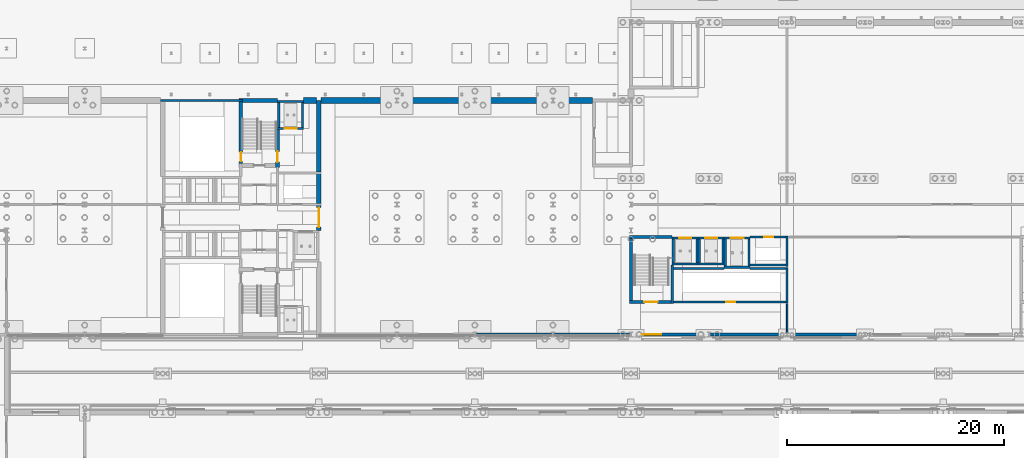
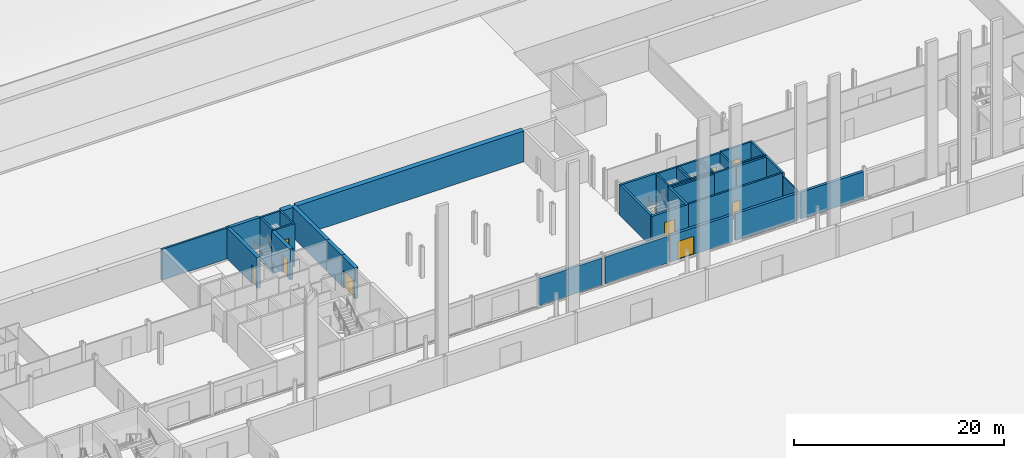
# One storey, part 90 of 148: 42 walls, 11 doors, 11 openings.
"""IFC4 building model written with IfcOpenShell, lengths in metres."""

import ifcopenshell
import ifcopenshell.guid

model = None  # the IFC model being written
_history = None  # IfcOwnerHistory: only IFC2X3 demands one
_inside = {}  # id of a spatial element -> (the spatial element, [elements in it])
_under = {}  # id of a project, library or spatial element -> (it, [spatial elements below it])
_declared = {}  # id of a project -> (the project, [libraries it declares])
_typed = {}  # id of a type object -> (the type object, [elements of that type])
_made_of = {}  # id of a material, layer set ... -> (it, [elements and type objects made of it])


def new_model(schema):
    """Start an empty IFC model of exactly this schema.

    Asked for "IFC4X3", IfcOpenShell would pick the latest addendum, in which some entities
    have other attributes; the version numbers below select the first issue.
    IFC2X3 requires an IfcOwnerHistory on every rooted entity: one is made here for all.
    """
    global model, _history
    if schema == "IFC4X3":
        model = ifcopenshell.file(schema_version=(4, 3, 0, 0))
    else:
        model = ifcopenshell.file(schema=schema)
    _inside.clear()
    _under.clear()
    _declared.clear()
    _typed.clear()
    _made_of.clear()
    _history = None
    if model.schema == "IFC2X3":
        org = make("IfcOrganization", Name="unknown")
        user = make(
            "IfcPersonAndOrganization",
            ThePerson=make("IfcPerson", FamilyName="unknown"),
            TheOrganization=org,
        )
        app = make(
            "IfcApplication",
            ApplicationDeveloper=org,
            Version="unknown",
            ApplicationFullName="unknown",
            ApplicationIdentifier="unknown",
        )
        _history = make(
            "IfcOwnerHistory",
            OwningUser=user,
            OwningApplication=app,
            ChangeAction="ADDED",
            CreationDate=0,
        )
    return model


def make(cls, **values):
    """One entity of the class cls with the attributes given. An attribute that is None is left unset."""
    return model.create_entity(
        cls, **{name: value for name, value in values.items() if value is not None}
    )


def rooted(cls, **values):
    """An entity with a GlobalId (a new one), such as an element, a storey or a relation."""
    return make(cls, GlobalId=ifcopenshell.guid.new(), OwnerHistory=_history, **values)


def si_unit(unit_type, name, prefix=None):
    """IfcSIUnit, for example si_unit("LENGTHUNIT", "METRE", prefix="MILLI")."""
    return make("IfcSIUnit", UnitType=unit_type, Prefix=prefix, Name=name)


def assignment(units):
    """IfcUnitAssignment: the units of a project."""
    return None if units is None else make("IfcUnitAssignment", Units=units)


def point(xyz):
    """IfcCartesianPoint."""
    return None if xyz is None else make("IfcCartesianPoint", Coordinates=xyz)


def direction(xyz):
    """IfcDirection."""
    return None if xyz is None else make("IfcDirection", DirectionRatios=xyz)


def frame(location, z_axis=None, x_axis=None):
    """IfcAxis2Placement3D, a coordinate frame: its origin and axes. An axis left out is left unset."""
    return make(
        "IfcAxis2Placement3D",
        Location=point(location),
        Axis=direction(z_axis),
        RefDirection=direction(x_axis),
    )


def frame_2d(location, x_axis=None):
    """IfcAxis2Placement2D, a coordinate frame in the plane: its origin and x axis."""
    return make(
        "IfcAxis2Placement2D", Location=point(location), RefDirection=direction(x_axis)
    )


def origin():
    """The frame at (0, 0, 0) with its axes left unset."""
    return frame((0.0, 0.0, 0.0))


def place(relative_to, where):
    """IfcLocalPlacement: puts the frame where relative to a parent placement (None: the world)."""
    return make(
        "IfcLocalPlacement", PlacementRelTo=relative_to, RelativePlacement=where
    )


def context(
    kind, dimensions, precision=None, world=None, true_north=None, identifier=None
):
    """IfcGeometricRepresentationContext, for example the 3D "Model" context."""
    return make(
        "IfcGeometricRepresentationContext",
        ContextIdentifier=identifier,
        ContextType=kind,
        CoordinateSpaceDimension=dimensions,
        Precision=precision,
        WorldCoordinateSystem=world,
        TrueNorth=true_north,
    )


def subcontext(parent, identifier, kind, view, scale=None):
    """IfcGeometricRepresentationSubContext, for example "Body" below "Model"."""
    return make(
        "IfcGeometricRepresentationSubContext",
        ContextIdentifier=identifier,
        ContextType=kind,
        ParentContext=parent,
        TargetScale=scale,
        TargetView=view,
    )


def project(units=None, contexts=None):
    """IfcProject with its units and contexts."""
    return rooted(
        "IfcProject",
        Name="project",
        RepresentationContexts=contexts,
        UnitsInContext=assignment(units),
    )


def spatial(cls, under=None, at=None, **own):
    """A site, building, storey or space (cls), placed at a placement, below another one or the project."""
    s = rooted(cls, ObjectPlacement=at, **own)
    if under is not None:
        _under.setdefault(under.id(), (under, []))[1].append(s)
    return s


def profile(cls, at=None, kind="AREA", **sizes):
    """A parametric profile (cls). Its sizes go by their IFC names, for example OverallWidth=200.0."""
    return make(cls, ProfileType=kind, Position=at, **sizes)


def rectangle(**sizes):
    """IfcRectangleProfileDef."""
    return profile("IfcRectangleProfileDef", **sizes)


def extrude(swept, where, along, depth):
    """IfcExtrudedAreaSolid: the profile swept, set in the frame where, extruded along a direction by depth."""
    return make(
        "IfcExtrudedAreaSolid",
        SweptArea=swept,
        Position=where,
        ExtrudedDirection=direction(along),
        Depth=depth,
    )


def shape(context_of_items, identifier, shape_type, items):
    """IfcShapeRepresentation: the items that make up one representation, for example the "Body"."""
    return make(
        "IfcShapeRepresentation",
        ContextOfItems=context_of_items,
        RepresentationIdentifier=identifier,
        RepresentationType=shape_type,
        Items=items,
    )


def material(Name=None, Category=None):
    """IfcMaterial."""
    return make("IfcMaterial", Name=Name, Category=Category)


def layer(
    of_material, thickness, ventilated=None, Name=None, Category=None, Priority=None
):
    """IfcMaterialLayer: one layer of a wall or slab, of a material (None: an air gap)."""
    return make(
        "IfcMaterialLayer",
        Material=of_material,
        LayerThickness=thickness,
        IsVentilated=ventilated,
        Name=Name,
        Category=Category,
        Priority=Priority,
    )


def layer_set(layers, Name=None):
    """IfcMaterialLayerSet."""
    return make("IfcMaterialLayerSet", MaterialLayers=layers, LayerSetName=Name)


def made_of(thing, what):
    """Note that an element or type object is made of a material, layer set ...; save() writes the relation."""
    if what is not None:
        _made_of.setdefault(what.id(), (what, []))[1].append(thing)
    return thing


def type_object(cls, material=None, **own):
    """A type object (cls), such as IfcWallType, which elements share."""
    return made_of(rooted(cls, **own), material)


def element(
    cls,
    number,
    at=None,
    inside=None,
    cuts=None,
    type_object=None,
    material=None,
    context=None,
    identifier="Body",
    shape_type=None,
    held_by="IfcProductDefinitionShape",
    body=None,
    shapes=None,
    **own,
):
    """One element of the class cls, such as IfcWall. Its Tag is "e" and its number.

    at: its placement. inside: the storey or other place that contains it. cuts: it is an
    opening in that element (IfcRelVoidsElement). A single representation is given by context,
    identifier, shape_type and body (its items); several are given by shapes. held_by: the class
    of the entity that holds the representations. save() writes the other relations.
    """
    e = rooted(cls, Tag="e%d" % number, ObjectPlacement=at, **own)
    if body is not None:
        shapes = [shape(context, identifier, shape_type, body)]
    if shapes is not None:
        e.Representation = make(held_by, Representations=shapes)
    if inside is not None:
        _inside.setdefault(inside.id(), (inside, []))[1].append(e)
    if cuts is not None:
        rooted(
            "IfcRelVoidsElement", RelatingBuildingElement=cuts, RelatedOpeningElement=e
        )
    if type_object is not None:
        _typed.setdefault(type_object.id(), (type_object, []))[1].append(e)
    return made_of(e, material)


def fill(opening, filler):
    """IfcRelFillsElement: the door or window that sits in an opening."""
    return rooted(
        "IfcRelFillsElement",
        RelatingOpeningElement=opening,
        RelatedBuildingElement=filler,
    )


def aggregate(whole, parts):
    """IfcRelAggregates: a whole, such as a stair, and the parts it consists of."""
    return rooted("IfcRelAggregates", RelatingObject=whole, RelatedObjects=parts)


def save(model, path):
    """Write the relations noted so far, then the file.

    IfcRelAggregates (storeys below a building ...), IfcRelContainedInSpatialStructure (elements
    in a storey), IfcRelDefinesByType, IfcRelAssociatesMaterial and IfcRelDeclares: one each for
    every whole, place, type object, material and project.
    """
    for whole, parts in _under.values():
        aggregate(whole, parts)
    for where, things in _inside.values():
        rooted(
            "IfcRelContainedInSpatialStructure",
            RelatedElements=things,
            RelatingStructure=where,
        )
    for kind, things in _typed.values():
        rooted("IfcRelDefinesByType", RelatedObjects=things, RelatingType=kind)
    for what, things in _made_of.values():
        rooted("IfcRelAssociatesMaterial", RelatedObjects=things, RelatingMaterial=what)
    for by, libraries in _declared.values():
        rooted("IfcRelDeclares", RelatingContext=by, RelatedDefinitions=libraries)
    model.write(path)


model = new_model("IFC4")

# Units and contexts
model_context = context("Model", 3, precision=1e-05, world=origin(), true_north=direction((0.0, 1.0)))
body_context = subcontext(model_context, "Body", "Model", "MODEL_VIEW")
ifc_project = project(units=[si_unit("LENGTHUNIT", "METRE"), si_unit("AREAUNIT", "SQUARE_METRE"), si_unit("VOLUMEUNIT", "CUBIC_METRE"), si_unit("PLANEANGLEUNIT", "RADIAN"), si_unit("MASSUNIT", "GRAM", prefix="KILO")], contexts=[model_context])

# Site, building, storey
site_placement = place(None, origin())
site = spatial("IfcSite", under=ifc_project, at=site_placement, CompositionType="ELEMENT")
building_placement = place(site_placement, origin())
building = spatial("IfcBuilding", under=site, at=building_placement, Name="Kupolbacken Congress Centre", CompositionType="ELEMENT")
storey_placement = place(building_placement, origin())
storey = spatial("IfcBuildingStorey", under=building, at=storey_placement, Name="L00", CompositionType="ELEMENT", Elevation=0.0)

# Wall
ifc_material_1 = material(Name="Limestone", Category="masonry")
ifc_layer_1 = layer(ifc_material_1, 0.06005859375)
ifc_material_2 = material(Name="Air cavity", Category="air")
ifc_layer_2 = layer(ifc_material_2, 0.0400390625, ventilated=True)
ifc_material_3 = material(Name="Mineral wool", Category="insulation")
ifc_layer_3 = layer(ifc_material_3, 0.14990234375)
ifc_material_4 = material(Name="Steel studs", Category="metal")
ifc_layer_4 = layer(ifc_material_4, 0.050048828125)
ifc_layer_set_1 = layer_set([ifc_layer_1, ifc_layer_2, ifc_layer_3, ifc_layer_4], Name="Limestone / Mineral wool / Steel studs")
wall_type_1 = type_object("IfcWallType", Name="EW01 external cavity wall 300", PredefinedType="SOLIDWALL", material=ifc_layer_set_1)
wall_1_placement = place(storey_placement, frame((151.35009765625, 122.39990234375, 0.0), z_axis=(0.0, 0.0, 1.0), x_axis=(1.0, 0.0, 0.0)))
element("IfcWall", 1, at=wall_1_placement, inside=storey, type_object=wall_type_1, Name="E/B/S/L00/009", PredefinedType="SOLIDWALL", context=body_context, shape_type="SweptSolid", body=[
    extrude(rectangle(XDim=6.89990234375, YDim=0.300048828125, at=frame_2d((3.449951171875, 0.0))), origin(), (0.0, 0.0, 1.0), 3.10009765625),
])

# Wall, opening, door
wall_2_placement = place(storey_placement, frame((136.949951171875, 122.39990234375, 0.0), z_axis=(0.0, 0.0, 1.0), x_axis=(1.0, 0.0, 0.0)))
wall_2 = element("IfcWall", 2, at=wall_2_placement, inside=storey, type_object=wall_type_1, Name="E/BF/S/L00/020", PredefinedType="SOLIDWALL", context=body_context, shape_type="SweptSolid", body=[
    extrude(rectangle(XDim=6.900146484375, YDim=0.300048828125, at=frame_2d((3.4501953125, 0.0))), origin(), (0.0, 0.0, 1.0), 3.1201171875),
])
opening_1_placement = place(wall_2_placement, frame((0.85009765625, 0.0, 0.014892578125)))
opening_1 = element("IfcOpeningElement", 3, at=opening_1_placement, cuts=wall_2, Name="Opening D48", PredefinedType="OPENING", context=body_context, shape_type="SweptSolid", body=[
    extrude(rectangle(XDim=1.800048828125, YDim=2.10009765625, at=frame_2d((0.89990234375, 1.050048828125))), frame((0.0, 0.159912109375, 0.0), z_axis=(0.0, -1.0, 0.0), x_axis=(1.0, 0.0, 0.0)), (0.0, 0.0, 1.0), 0.320068359375),
])
ifc_material_5 = material(Name="Steel fire door leaf", Category="steel")
door_type_1 = type_object("IfcDoorType", Name="D48 stair door 1800x2100 with 15 mm threshold", OperationType="DOUBLE_DOOR_SINGLE_SWING", PredefinedType="DOOR", material=ifc_material_5)
door_1_placement = place(opening_1_placement, frame((1.800048828125, 0.0, 0.0), z_axis=(0.0, 0.0, 1.0), x_axis=(-1.0, 0.0, 0.0)))
door_1 = element("IfcDoor", 4, at=door_1_placement, inside=storey, type_object=door_type_1, Name="Final exit X6", OperationType="DOUBLE_DOOR_SINGLE_SWING", OverallHeight=2.10009765625, OverallWidth=1.800048828125, PredefinedType="DOOR", context=body_context, shape_type="SweptSolid", body=[
    extrude(rectangle(XDim=1.800048828125, YDim=2.10009765625, at=frame_2d((0.89990234375, 1.050048828125))), frame((0.0, 0.02490234375, 0.0), z_axis=(0.0, -1.0, 0.0), x_axis=(1.0, 0.0, 0.0)), (0.0, 0.0, 1.0), 0.050048828125),
])
fill(opening_1, door_1)

# Walls
wall_3_placement = place(storey_placement, frame((144.14990234375, 122.39990234375, 0.0), z_axis=(0.0, 0.0, 1.0), x_axis=(1.0, 0.0, 0.0)))
element("IfcWall", 5, at=wall_3_placement, inside=storey, type_object=wall_type_1, Name="E/BF/S/L00/021", PredefinedType="SOLIDWALL", context=body_context, shape_type="SweptSolid", body=[
    extrude(rectangle(XDim=6.900146484375, YDim=0.300048828125, at=frame_2d((3.4501953125, 0.0))), origin(), (0.0, 0.0, 1.0), 3.1201171875),
])
wall_4_placement = place(storey_placement, frame((122.553466796875, 122.39990234375, 0.0), z_axis=(0.0, 0.0, 1.0), x_axis=(1.0, 0.0, 0.0)))
element("IfcWall", 6, at=wall_4_placement, inside=storey, type_object=wall_type_1, Name="E/T/S/L00/005", PredefinedType="SOLIDWALL", context=body_context, shape_type="SweptSolid", body=[
    extrude(rectangle(XDim=6.89306640625, YDim=0.300048828125, at=frame_2d((3.446533203125, 0.0))), origin(), (0.0, 0.0, 1.0), 3.1201171875),
])
wall_5_placement = place(storey_placement, frame((129.75341796875, 122.39990234375, 0.0), z_axis=(0.0, 0.0, 1.0), x_axis=(1.0, 0.0, 0.0)))
element("IfcWall", 7, at=wall_5_placement, inside=storey, type_object=wall_type_1, Name="E/T/S/L00/006", PredefinedType="SOLIDWALL", context=body_context, shape_type="SweptSolid", body=[
    extrude(rectangle(XDim=6.896484375, YDim=0.300048828125, at=frame_2d((3.4482421875, 0.0))), origin(), (0.0, 0.0, 1.0), 3.1201171875),
])
ifc_material_6 = material(Name="Gypsum board", Category="drywall")
ifc_layer_5 = layer(ifc_material_6, 0.135009765625)
ifc_layer_set_2 = layer_set([ifc_layer_5], Name="Gypsum board")
wall_type_2 = type_object("IfcWallType", Name="P06 compartment wall 135", PredefinedType="PARTITIONING", material=ifc_layer_set_2)
wall_6_placement = place(storey_placement, frame((151.199951171875, 122.550048828125, 0.0), z_axis=(0.0, 0.0, 1.0), x_axis=(0.0, 1.0, 0.0)))
element("IfcWall", 8, at=wall_6_placement, inside=storey, type_object=wall_type_2, Name="PD/L00/W023", PredefinedType="PARTITIONING", context=body_context, shape_type="SweptSolid", body=[
    extrude(rectangle(XDim=2.68994140625, YDim=0.135009765625, at=frame_2d((1.344970703125, 0.0))), origin(), (0.0, 0.0, 1.0), 3.218994140625),
])
ifc_material_7 = material(Name="Concrete C30/37", Category="concrete")
ifc_layer_6 = layer(ifc_material_7, 0.550048828125)
ifc_layer_set_3 = layer_set([ifc_layer_6], Name="Concrete C30/37")
wall_type_3 = type_object("IfcWallType", Name="RW3 retaining wall 550", PredefinedType="SOLIDWALL", material=ifc_layer_set_3)
wall_7_placement = place(storey_placement, frame((106.60009765625, 144.0, 0.0), z_axis=(0.0, 0.0, 1.0), x_axis=(1.0, 0.0, 0.0)))
element("IfcWall", 9, at=wall_7_placement, inside=storey, type_object=wall_type_3, Name="Retaining wall BF10 L00", PredefinedType="SOLIDWALL", context=body_context, shape_type="SweptSolid", body=[
    extrude(rectangle(XDim=1.199951171875, YDim=0.550048828125, at=frame_2d((0.60009765625, 0.0))), origin(), (0.0, 0.0, 1.0), 3.60009765625),
])
wall_8_placement = place(storey_placement, frame((108.199951171875, 144.0, 0.0), z_axis=(0.0, 0.0, 1.0), x_axis=(1.0, 0.0, 0.0)))
element("IfcWall", 10, at=wall_8_placement, inside=storey, type_object=wall_type_3, Name="Retaining wall BF10 L00", PredefinedType="SOLIDWALL", context=body_context, shape_type="SweptSolid", body=[
    extrude(rectangle(XDim=25.050048828125, YDim=0.550048828125, at=frame_2d((12.52490234375, 0.0))), origin(), (0.0, 0.0, 1.0), 3.60009765625),
])

# Wall, opening, door
ifc_material_8 = material(Name="Concrete C40/50", Category="concrete")
ifc_layer_7 = layer(ifc_material_8, 0.199951171875)
ifc_layer_set_4 = layer_set([ifc_layer_7], Name="Concrete C40/50")
wall_type_4 = type_object("IfcWallType", Name="WC1 RC shaft wall 200", PredefinedType="SHEAR", material=ifc_layer_set_4)
wall_9_placement = place(storey_placement, frame((140.72509765625, 125.39990234375, 0.0), z_axis=(0.0, 0.0, 1.0), x_axis=(1.0, 0.0, 0.0)))
wall_9 = element("IfcWall", 11, at=wall_9_placement, inside=storey, type_object=wall_type_4, Name="Shaft wall L00-083", PredefinedType="SHEAR", context=body_context, shape_type="SweptSolid", body=[
    extrude(rectangle(XDim=10.574951171875, YDim=0.199951171875, at=frame_2d((5.28759765625, 0.0))), origin(), (0.0, 0.0, 1.0), 3.60009765625),
])
opening_2_placement = place(wall_9_placement, frame((4.85009765625, 0.0, 0.0)))
opening_2 = element("IfcOpeningElement", 12, at=opening_2_placement, cuts=wall_9, Name="Opening 0.G03", PredefinedType="OPENING", context=body_context, shape_type="SweptSolid", body=[
    extrude(rectangle(XDim=0.85009765625, YDim=2.10009765625, at=frame_2d((0.425048828125, 1.050048828125))), frame((0.0, 0.10986328125, 0.0), z_axis=(0.0, -1.0, 0.0), x_axis=(1.0, 0.0, 0.0)), (0.0, 0.0, 1.0), 0.219970703125),
])
ifc_material_9 = material(Name="Steel fire door leaf", Category="steel")
door_type_2 = type_object("IfcDoorType", Name="D3 fire door 850x2100", OperationType="SINGLE_SWING_LEFT", PredefinedType="DOOR", material=ifc_material_9)
door_2_placement = place(opening_2_placement, origin())
door_2 = element("IfcDoor", 13, at=door_2_placement, inside=storey, type_object=door_type_2, Name="S/core/L00/083/D0G03", OperationType="SINGLE_SWING_RIGHT", OverallHeight=2.10009765625, OverallWidth=0.85009765625, PredefinedType="DOOR", context=body_context, shape_type="SweptSolid", body=[
    extrude(rectangle(XDim=0.85009765625, YDim=2.10009765625, at=frame_2d((0.425048828125, 1.050048828125))), frame((0.0, 0.02490234375, 0.0), z_axis=(0.0, -1.0, 0.0), x_axis=(1.0, 0.0, 0.0)), (0.0, 0.0, 1.0), 0.050048828125),
])
fill(opening_2, door_2)

# Walls
wall_10_placement = place(storey_placement, frame((151.199951171875, 125.300048828125, 0.0), z_axis=(0.0, 0.0, 1.0), x_axis=(0.0, 1.0, 0.0)))
element("IfcWall", 14, at=wall_10_placement, inside=storey, type_object=wall_type_4, Name="Shaft wall L00-085", PredefinedType="SHEAR", context=body_context, shape_type="SweptSolid", body=[
    extrude(rectangle(XDim=3.300048828125, YDim=0.199951171875, at=frame_2d((1.64990234375, 0.0))), origin(), (0.0, 0.0, 1.0), 3.60009765625),
])
wall_11_placement = place(storey_placement, frame((140.60009765625, 128.5, 0.0), z_axis=(0.0, 0.0, 1.0), x_axis=(1.0, 0.0, 0.0)))
element("IfcWall", 15, at=wall_11_placement, inside=storey, type_object=wall_type_4, Name="Shaft wall L00-095", PredefinedType="SHEAR", context=body_context, shape_type="SweptSolid", body=[
    extrude(rectangle(XDim=4.7998046875, YDim=0.199951171875, at=frame_2d((2.39990234375, 0.0))), origin(), (0.0, 0.0, 1.0), 3.60009765625),
])
for number, where, z_axis, x_axis, name in (
    (16, (147.800048828125, 128.5, 0.0), (0.0, 0.0, 1.0), (1.0, 0.0, 0.0), "Shaft wall L00-097"),
    (17, (147.800048828125, 128.800048828125, 0.0), (0.0, 0.0, 1.0), (1.0, 0.0, 0.0), "Shaft wall L00-098"),
):
    element("IfcWall", number, at=place(storey_placement, frame(where, z_axis=z_axis, x_axis=x_axis)), inside=storey, type_object=wall_type_4, Name=name, PredefinedType="SHEAR", context=body_context, shape_type="SweptSolid", body=[
        extrude(rectangle(XDim=3.5, YDim=0.199951171875, at=frame_2d((1.75, 0.0))), origin(), (0.0, 0.0, 1.0), 3.60009765625),
    ])
wall_12_placement = place(storey_placement, frame((151.199951171875, 128.699951171875, 0.0), z_axis=(0.0, 0.0, 1.0), x_axis=(0.0, 1.0, 0.0)))
element("IfcWall", 18, at=wall_12_placement, inside=storey, type_object=wall_type_4, Name="Shaft wall L00-099", PredefinedType="SHEAR", context=body_context, shape_type="SweptSolid", body=[
    extrude(rectangle(XDim=2.800048828125, YDim=0.199951171875, at=frame_2d((1.39990234375, 0.0))), origin(), (0.0, 0.0, 1.0), 3.60009765625),
])

# Wall, opening, door
wall_13_placement = place(storey_placement, frame((151.300048828125, 131.39990234375, 0.0), z_axis=(0.0, 0.0, 1.0), x_axis=(-1.0, 0.0, 0.0)))
wall_13 = element("IfcWall", 19, at=wall_13_placement, inside=storey, type_object=wall_type_4, Name="Shaft wall L00-103", PredefinedType="SHEAR", context=body_context, shape_type="SweptSolid", body=[
    extrude(rectangle(XDim=3.5, YDim=0.199951171875, at=frame_2d((1.75, 0.0))), origin(), (0.0, 0.0, 1.0), 3.60009765625),
])
opening_3_placement = place(wall_13_placement, frame((1.35009765625, 0.0, 0.0)))
opening_3 = element("IfcOpeningElement", 20, at=opening_3_placement, cuts=wall_13, Name="Opening 0.G02", PredefinedType="OPENING", context=body_context, shape_type="SweptSolid", body=[
    extrude(rectangle(XDim=0.85009765625, YDim=2.10009765625, at=frame_2d((0.425048828125, 1.050048828125))), frame((0.0, 0.10986328125, 0.0), z_axis=(0.0, -1.0, 0.0), x_axis=(1.0, 0.0, 0.0)), (0.0, 0.0, 1.0), 0.219970703125),
])
door_3_placement = place(opening_3_placement, origin())
door_3 = element("IfcDoor", 21, at=door_3_placement, inside=storey, type_object=door_type_2, Name="S/core/L00/103/D0G02", OperationType="SINGLE_SWING_RIGHT", OverallHeight=2.10009765625, OverallWidth=0.85009765625, PredefinedType="DOOR", context=body_context, shape_type="SweptSolid", body=[
    extrude(rectangle(XDim=0.85009765625, YDim=2.10009765625, at=frame_2d((0.425048828125, 1.050048828125))), frame((0.0, 0.02490234375, 0.0), z_axis=(0.0, -1.0, 0.0), x_axis=(1.0, 0.0, 0.0)), (0.0, 0.0, 1.0), 0.050048828125),
])
fill(opening_3, door_3)

# Wall
wall_14_placement = place(storey_placement, frame((100.97509765625, 144.0, 0.0), z_axis=(0.0, 0.0, 1.0), x_axis=(-1.0, 0.0, 0.0)))
element("IfcWall", 22, at=wall_14_placement, inside=storey, type_object=wall_type_4, Name="Shaft wall L00-128", PredefinedType="SHEAR", context=body_context, shape_type="SweptSolid", body=[
    extrude(rectangle(XDim=7.5751953125, YDim=0.199951171875, at=frame_2d((3.78759765625, 0.0))), origin(), (0.0, 0.0, 1.0), 3.60009765625),
])

# Wall, opening, door
wall_15_placement = place(storey_placement, frame((104.199951171875, 141.39990234375, -1.39990234375), z_axis=(0.0, 0.0, 1.0), x_axis=(1.0, 0.0, 0.0)))
wall_15 = element("IfcWall", 23, at=wall_15_placement, inside=storey, type_object=wall_type_4, Name="Shaft wall LF2", PredefinedType="SHEAR", context=body_context, shape_type="SweptSolid", body=[
    extrude(rectangle(XDim=2.400146484375, YDim=0.199951171875, at=frame_2d((1.2001953125, 0.0))), origin(), (0.0, 0.0, 1.0), 5.0),
])
opening_4_placement = place(wall_15_placement, frame((0.64990234375, 0.0, 1.39990234375)))
opening_4 = element("IfcOpeningElement", 24, at=opening_4_placement, cuts=wall_15, Name="Opening LD2", PredefinedType="OPENING", context=body_context, shape_type="SweptSolid", body=[
    extrude(rectangle(XDim=1.10009765625, YDim=2.10009765625, at=frame_2d((0.550048828125, 1.050048828125))), frame((0.0, 0.10986328125, 0.0), z_axis=(0.0, -1.0, 0.0), x_axis=(1.0, 0.0, 0.0)), (0.0, 0.0, 1.0), 0.219970703125),
])
ifc_material_10 = material(Name="Stainless steel door leaf", Category="steel")
door_type_3 = type_object("IfcDoorType", Name="LD2 lift landing door 1100x2100", OperationType="SLIDING_TO_LEFT", PredefinedType="DOOR", material=ifc_material_10)
door_4_placement = place(opening_4_placement, origin())
door_4 = element("IfcDoor", 25, at=door_4_placement, inside=storey, type_object=door_type_3, Name="Lift landing door LF2", OperationType="SLIDING_TO_LEFT", OverallHeight=2.10009765625, OverallWidth=1.10009765625, PredefinedType="DOOR", context=body_context, shape_type="SweptSolid", body=[
    extrude(rectangle(XDim=1.10009765625, YDim=2.10009765625, at=frame_2d((0.550048828125, 1.050048828125))), frame((0.0, 0.02490234375, 0.0), z_axis=(0.0, -1.0, 0.0), x_axis=(1.0, 0.0, 0.0)), (0.0, 0.0, 1.0), 0.050048828125),
])
fill(opening_4, door_4)

# Walls
wall_16_placement = place(storey_placement, frame((104.199951171875, 143.89990234375, -1.39990234375), z_axis=(0.0, 0.0, 1.0), x_axis=(1.0, 0.0, 0.0)))
element("IfcWall", 26, at=wall_16_placement, inside=storey, type_object=wall_type_4, Name="Shaft wall LF2", PredefinedType="SHEAR", context=body_context, shape_type="SweptSolid", body=[
    extrude(rectangle(XDim=2.400146484375, YDim=0.199951171875, at=frame_2d((1.2001953125, 0.0))), origin(), (0.0, 0.0, 1.0), 5.0),
])
for number, where, z_axis, x_axis, name in (
    (27, (104.300048828125, 141.5, -1.39990234375), (0.0, 0.0, 1.0), (0.0, 1.0, 0.0), "Shaft wall LF2"),
    (28, (106.5, 141.5, -1.39990234375), (0.0, 0.0, 1.0), (0.0, 1.0, 0.0), "Shaft wall LF2"),
):
    element("IfcWall", number, at=place(storey_placement, frame(where, z_axis=z_axis, x_axis=x_axis)), inside=storey, type_object=wall_type_4, Name=name, PredefinedType="SHEAR", context=body_context, shape_type="SweptSolid", body=[
        extrude(rectangle(XDim=2.300048828125, YDim=0.199951171875, at=frame_2d((1.14990234375, 0.0))), origin(), (0.0, 0.0, 1.0), 5.0),
    ])
wall_17_placement = place(storey_placement, frame((140.60009765625, 128.89990234375, -1.39990234375), z_axis=(0.0, 0.0, 1.0), x_axis=(1.0, 0.0, 0.0)))
element("IfcWall", 29, at=wall_17_placement, inside=storey, type_object=wall_type_4, Name="Shaft wall LP15", PredefinedType="SHEAR", context=body_context, shape_type="SweptSolid", body=[
    extrude(rectangle(XDim=2.39990234375, YDim=0.199951171875, at=frame_2d((1.199951171875, 0.0))), origin(), (0.0, 0.0, 1.0), 5.0),
])

# Wall, opening, door
wall_18_placement = place(storey_placement, frame((140.60009765625, 131.300048828125, -1.39990234375), z_axis=(0.0, 0.0, 1.0), x_axis=(1.0, 0.0, 0.0)))
wall_18 = element("IfcWall", 30, at=wall_18_placement, inside=storey, type_object=wall_type_4, Name="Shaft wall LP15", PredefinedType="SHEAR", context=body_context, shape_type="SweptSolid", body=[
    extrude(rectangle(XDim=2.39990234375, YDim=0.199951171875, at=frame_2d((1.199951171875, 0.0))), origin(), (0.0, 0.0, 1.0), 5.0),
])
opening_5_placement = place(wall_18_placement, frame((0.64990234375, 0.0, 1.39990234375)))
opening_5 = element("IfcOpeningElement", 31, at=opening_5_placement, cuts=wall_18, Name="Opening LD2", PredefinedType="OPENING", context=body_context, shape_type="SweptSolid", body=[
    extrude(rectangle(XDim=1.10009765625, YDim=2.10009765625, at=frame_2d((0.550048828125, 1.050048828125))), frame((0.0, 0.10986328125, 0.0), z_axis=(0.0, -1.0, 0.0), x_axis=(1.0, 0.0, 0.0)), (0.0, 0.0, 1.0), 0.219970703125),
])
door_5_placement = place(opening_5_placement, origin())
door_5 = element("IfcDoor", 32, at=door_5_placement, inside=storey, type_object=door_type_3, Name="Lift landing door LP15", OperationType="SLIDING_TO_LEFT", OverallHeight=2.10009765625, OverallWidth=1.10009765625, PredefinedType="DOOR", context=body_context, shape_type="SweptSolid", body=[
    extrude(rectangle(XDim=1.10009765625, YDim=2.10009765625, at=frame_2d((0.550048828125, 1.050048828125))), frame((0.0, 0.02490234375, 0.0), z_axis=(0.0, -1.0, 0.0), x_axis=(1.0, 0.0, 0.0)), (0.0, 0.0, 1.0), 0.050048828125),
])
fill(opening_5, door_5)

# Walls
for number, where, z_axis, x_axis, name in (
    (33, (140.699951171875, 129.0, -1.39990234375), (0.0, 0.0, 1.0), (0.0, 1.0, 0.0), "Shaft wall LP15"),
    (34, (142.89990234375, 129.0, -1.39990234375), (0.0, 0.0, 1.0), (0.0, 1.0, 0.0), "Shaft wall LP15"),
):
    element("IfcWall", number, at=place(storey_placement, frame(where, z_axis=z_axis, x_axis=x_axis)), inside=storey, type_object=wall_type_4, Name=name, PredefinedType="SHEAR", context=body_context, shape_type="SweptSolid", body=[
        extrude(rectangle(XDim=2.199951171875, YDim=0.199951171875, at=frame_2d((1.10009765625, 0.0))), origin(), (0.0, 0.0, 1.0), 5.0),
    ])
wall_19_placement = place(storey_placement, frame((143.0, 128.89990234375, -1.39990234375), z_axis=(0.0, 0.0, 1.0), x_axis=(1.0, 0.0, 0.0)))
element("IfcWall", 35, at=wall_19_placement, inside=storey, type_object=wall_type_4, Name="Shaft wall LP16", PredefinedType="SHEAR", context=body_context, shape_type="SweptSolid", body=[
    extrude(rectangle(XDim=2.39990234375, YDim=0.199951171875, at=frame_2d((1.199951171875, 0.0))), origin(), (0.0, 0.0, 1.0), 5.0),
])

# Wall, opening, door
wall_20_placement = place(storey_placement, frame((143.0, 131.300048828125, -1.39990234375), z_axis=(0.0, 0.0, 1.0), x_axis=(1.0, 0.0, 0.0)))
wall_20 = element("IfcWall", 36, at=wall_20_placement, inside=storey, type_object=wall_type_4, Name="Shaft wall LP16", PredefinedType="SHEAR", context=body_context, shape_type="SweptSolid", body=[
    extrude(rectangle(XDim=2.39990234375, YDim=0.199951171875, at=frame_2d((1.199951171875, 0.0))), origin(), (0.0, 0.0, 1.0), 5.0),
])
opening_6_placement = place(wall_20_placement, frame((0.64990234375, 0.0, 1.39990234375)))
opening_6 = element("IfcOpeningElement", 37, at=opening_6_placement, cuts=wall_20, Name="Opening LD2", PredefinedType="OPENING", context=body_context, shape_type="SweptSolid", body=[
    extrude(rectangle(XDim=1.10009765625, YDim=2.10009765625, at=frame_2d((0.550048828125, 1.050048828125))), frame((0.0, 0.10986328125, 0.0), z_axis=(0.0, -1.0, 0.0), x_axis=(1.0, 0.0, 0.0)), (0.0, 0.0, 1.0), 0.219970703125),
])
door_6_placement = place(opening_6_placement, origin())
door_6 = element("IfcDoor", 38, at=door_6_placement, inside=storey, type_object=door_type_3, Name="Lift landing door LP16", OperationType="SLIDING_TO_LEFT", OverallHeight=2.10009765625, OverallWidth=1.10009765625, PredefinedType="DOOR", context=body_context, shape_type="SweptSolid", body=[
    extrude(rectangle(XDim=1.10009765625, YDim=2.10009765625, at=frame_2d((0.550048828125, 1.050048828125))), frame((0.0, 0.02490234375, 0.0), z_axis=(0.0, -1.0, 0.0), x_axis=(1.0, 0.0, 0.0)), (0.0, 0.0, 1.0), 0.050048828125),
])
fill(opening_6, door_6)

# Walls
for number, where, z_axis, x_axis, name in (
    (39, (143.10009765625, 129.0, -1.39990234375), (0.0, 0.0, 1.0), (0.0, 1.0, 0.0), "Shaft wall LP16"),
    (40, (145.300048828125, 129.0, -1.39990234375), (0.0, 0.0, 1.0), (0.0, 1.0, 0.0), "Shaft wall LP16"),
):
    element("IfcWall", number, at=place(storey_placement, frame(where, z_axis=z_axis, x_axis=x_axis)), inside=storey, type_object=wall_type_4, Name=name, PredefinedType="SHEAR", context=body_context, shape_type="SweptSolid", body=[
        extrude(rectangle(XDim=2.199951171875, YDim=0.199951171875, at=frame_2d((1.10009765625, 0.0))), origin(), (0.0, 0.0, 1.0), 5.0),
    ])
wall_21_placement = place(storey_placement, frame((145.39990234375, 128.60009765625, -1.39990234375), z_axis=(0.0, 0.0, 1.0), x_axis=(1.0, 0.0, 0.0)))
element("IfcWall", 41, at=wall_21_placement, inside=storey, type_object=wall_type_4, Name="Shaft wall LV2", PredefinedType="SHEAR", context=body_context, shape_type="SweptSolid", body=[
    extrude(rectangle(XDim=2.400146484375, YDim=0.199951171875, at=frame_2d((1.2001953125, 0.0))), origin(), (0.0, 0.0, 1.0), 5.0),
])

# Wall, opening, door
wall_22_placement = place(storey_placement, frame((145.39990234375, 131.300048828125, -1.39990234375), z_axis=(0.0, 0.0, 1.0), x_axis=(1.0, 0.0, 0.0)))
wall_22 = element("IfcWall", 42, at=wall_22_placement, inside=storey, type_object=wall_type_4, Name="Shaft wall LV2", PredefinedType="SHEAR", context=body_context, shape_type="SweptSolid", body=[
    extrude(rectangle(XDim=2.400146484375, YDim=0.199951171875, at=frame_2d((1.2001953125, 0.0))), origin(), (0.0, 0.0, 1.0), 5.0),
])
opening_7_placement = place(wall_22_placement, frame((0.60009765625, 0.0, 1.39990234375)))
opening_7 = element("IfcOpeningElement", 43, at=opening_7_placement, cuts=wall_22, Name="Opening LD1", PredefinedType="OPENING", context=body_context, shape_type="SweptSolid", body=[
    extrude(rectangle(XDim=1.199951171875, YDim=2.10009765625, at=frame_2d((0.60009765625, 1.050048828125))), frame((0.0, 0.10986328125, 0.0), z_axis=(0.0, -1.0, 0.0), x_axis=(1.0, 0.0, 0.0)), (0.0, 0.0, 1.0), 0.219970703125),
])
ifc_material_11 = material(Name="Stainless steel door leaf", Category="steel")
door_type_4 = type_object("IfcDoorType", Name="LD1 lift landing door 1200x2100", OperationType="SLIDING_TO_LEFT", PredefinedType="DOOR", material=ifc_material_11)
door_7_placement = place(opening_7_placement, origin())
door_7 = element("IfcDoor", 44, at=door_7_placement, inside=storey, type_object=door_type_4, Name="Lift landing door LV2", OperationType="SLIDING_TO_LEFT", OverallHeight=2.10009765625, OverallWidth=1.199951171875, PredefinedType="DOOR", context=body_context, shape_type="SweptSolid", body=[
    extrude(rectangle(XDim=1.199951171875, YDim=2.10009765625, at=frame_2d((0.60009765625, 1.050048828125))), frame((0.0, 0.02490234375, 0.0), z_axis=(0.0, -1.0, 0.0), x_axis=(1.0, 0.0, 0.0)), (0.0, 0.0, 1.0), 0.050048828125),
])
fill(opening_7, door_7)

# Walls
for number, where, z_axis, x_axis, name in (
    (45, (145.5, 128.699951171875, -1.39990234375), (0.0, 0.0, 1.0), (0.0, 1.0, 0.0), "Shaft wall LV2"),
    (46, (147.699951171875, 128.699951171875, -1.39990234375), (0.0, 0.0, 1.0), (0.0, 1.0, 0.0), "Shaft wall LV2"),
):
    element("IfcWall", number, at=place(storey_placement, frame(where, z_axis=z_axis, x_axis=x_axis)), inside=storey, type_object=wall_type_4, Name=name, PredefinedType="SHEAR", context=body_context, shape_type="SweptSolid", body=[
        extrude(rectangle(XDim=2.5, YDim=0.199951171875, at=frame_2d((1.25, 0.0))), origin(), (0.0, 0.0, 1.0), 5.0),
    ])

# Wall, opening, door
ifc_material_12 = material(Name="Concrete C40/50", Category="concrete")
ifc_layer_8 = layer(ifc_material_12, 0.25)
ifc_layer_set_5 = layer_set([ifc_layer_8], Name="Concrete C40/50")
wall_type_5 = type_object("IfcWallType", Name="WC2 RC stair enclosure wall 250", PredefinedType="SHEAR", material=ifc_layer_set_5)
wall_23_placement = place(storey_placement, frame((136.675048828125, 125.39990234375, 0.0), z_axis=(0.0, 0.0, 1.0), x_axis=(1.0, 0.0, 0.0)))
wall_23 = element("IfcWall", 47, at=wall_23_placement, inside=storey, type_object=wall_type_5, Name="Stair enclosure wall L00-082", PredefinedType="SHEAR", context=body_context, shape_type="SweptSolid", body=[
    extrude(rectangle(XDim=4.050048828125, YDim=0.25, at=frame_2d((2.02490234375, 0.0))), origin(), (0.0, 0.0, 1.0), 3.60009765625),
])
opening_8_placement = place(wall_23_placement, frame((1.375, 0.0, 0.0)))
opening_8 = element("IfcOpeningElement", 48, at=opening_8_placement, cuts=wall_23, Name="Opening 0.G01", PredefinedType="OPENING", context=body_context, shape_type="SweptSolid", body=[
    extrude(rectangle(XDim=1.199951171875, YDim=2.39990234375, at=frame_2d((0.60009765625, 1.199951171875))), frame((0.0, 0.135009765625, 0.0), z_axis=(0.0, -1.0, 0.0), x_axis=(1.0, 0.0, 0.0)), (0.0, 0.0, 1.0), 0.27001953125),
])
ifc_material_13 = material(Name="Steel fire door leaf", Category="steel")
door_type_5 = type_object("IfcDoorType", Name="D9 fire door 1200x2400", OperationType="SINGLE_SWING_LEFT", PredefinedType="DOOR", material=ifc_material_13)
door_8_placement = place(opening_8_placement, origin())
door_8 = element("IfcDoor", 49, at=door_8_placement, inside=storey, type_object=door_type_5, Name="S/core/L00/082/D0G01", OperationType="SINGLE_SWING_RIGHT", OverallHeight=2.39990234375, OverallWidth=1.199951171875, PredefinedType="DOOR", context=body_context, shape_type="SweptSolid", body=[
    extrude(rectangle(XDim=1.199951171875, YDim=2.39990234375, at=frame_2d((0.60009765625, 1.199951171875))), frame((0.0, 0.02490234375, 0.0), z_axis=(0.0, -1.0, 0.0), x_axis=(1.0, 0.0, 0.0)), (0.0, 0.0, 1.0), 0.050048828125),
])
fill(opening_8, door_8)

# Walls
wall_24_placement = place(storey_placement, frame((140.60009765625, 125.27490234375, 0.0), z_axis=(0.0, 0.0, 1.0), x_axis=(0.0, 1.0, 0.0)))
element("IfcWall", 50, at=wall_24_placement, inside=storey, type_object=wall_type_5, Name="Stair enclosure wall L00-084", PredefinedType="SHEAR", context=body_context, shape_type="SweptSolid", body=[
    extrude(rectangle(XDim=3.525146484375, YDim=0.25, at=frame_2d((1.7626953125, 0.0))), origin(), (0.0, 0.0, 1.0), 3.60009765625),
])
wall_25_placement = place(storey_placement, frame((136.800048828125, 131.52490234375, 0.0), z_axis=(0.0, 0.0, 1.0), x_axis=(0.0, -1.0, 0.0)))
element("IfcWall", 51, at=wall_25_placement, inside=storey, type_object=wall_type_5, Name="Stair enclosure wall L00-101", PredefinedType="SHEAR", context=body_context, shape_type="SweptSolid", body=[
    extrude(rectangle(XDim=6.25, YDim=0.25, at=frame_2d((3.125, 0.0))), origin(), (0.0, 0.0, 1.0), 3.60009765625),
])
wall_26_placement = place(storey_placement, frame((140.60009765625, 131.39990234375, 0.0), z_axis=(0.0, 0.0, 1.0), x_axis=(-1.0, 0.0, 0.0)))
element("IfcWall", 52, at=wall_26_placement, inside=storey, type_object=wall_type_5, Name="Stair enclosure wall L00-102", PredefinedType="SHEAR", context=body_context, shape_type="SweptSolid", body=[
    extrude(rectangle(XDim=3.925048828125, YDim=0.25, at=frame_2d((1.96240234375, 0.0))), origin(), (0.0, 0.0, 1.0), 3.60009765625),
])

# Wall, opening, door
ifc_material_14 = material(Name="Concrete C40/50", Category="concrete")
ifc_layer_9 = layer(ifc_material_14, 0.35009765625)
ifc_layer_set_6 = layer_set([ifc_layer_9], Name="Concrete C40/50")
wall_type_6 = type_object("IfcWallType", Name="WC4 RC core wall 350", PredefinedType="SHEAR", material=ifc_layer_set_6)
wall_27_placement = place(storey_placement, frame((104.199951171875, 137.824951171875, 0.0), z_axis=(0.0, 0.0, 1.0), x_axis=(0.0, 1.0, 0.0)))
wall_27 = element("IfcWall", 53, at=wall_27_placement, inside=storey, type_object=wall_type_6, Name="Core wall L00-121", PredefinedType="SHEAR", context=body_context, shape_type="SweptSolid", body=[
    extrude(rectangle(XDim=3.47509765625, YDim=0.35009765625, at=frame_2d((1.737548828125, 0.0))), origin(), (0.0, 0.0, 1.0), 3.60009765625),
])
opening_9_placement = place(wall_27_placement, frame((0.47509765625, 0.0, 0.0)))
opening_9 = element("IfcOpeningElement", 54, at=opening_9_placement, cuts=wall_27, Name="Opening D5", PredefinedType="OPENING", context=body_context, shape_type="SweptSolid", body=[
    extrude(rectangle(XDim=1.0, YDim=2.10009765625, at=frame_2d((0.5, 1.050048828125))), frame((0.0, 0.18505859375, 0.0), z_axis=(0.0, -1.0, 0.0), x_axis=(1.0, 0.0, 0.0)), (0.0, 0.0, 1.0), 0.3701171875),
])
ifc_material_15 = material(Name="Steel fire door leaf", Category="steel")
door_type_6 = type_object("IfcDoorType", Name="D5 stair door 1000x2100", OperationType="SINGLE_SWING_LEFT", PredefinedType="DOOR", material=ifc_material_15)
door_9_placement = place(opening_9_placement, origin())
door_9 = element("IfcDoor", 55, at=door_9_placement, inside=storey, type_object=door_type_6, Name="S/core/L00/121/D-TFL2-A", OperationType="SINGLE_SWING_RIGHT", OverallHeight=2.10009765625, OverallWidth=1.0, PredefinedType="DOOR", context=body_context, shape_type="SweptSolid", body=[
    extrude(rectangle(XDim=1.0, YDim=2.10009765625, at=frame_2d((0.5, 1.050048828125))), frame((0.0, 0.02490234375, 0.0), z_axis=(0.0, -1.0, 0.0), x_axis=(1.0, 0.0, 0.0)), (0.0, 0.0, 1.0), 0.050048828125),
])
fill(opening_9, door_9)

wall_28_placement = place(storey_placement, frame((100.800048828125, 144.175048828125, 0.0), z_axis=(0.0, 0.0, 1.0), x_axis=(0.0, -1.0, 0.0)))
wall_28 = element("IfcWall", 56, at=wall_28_placement, inside=storey, type_object=wall_type_6, Name="Core wall L00-127", PredefinedType="SHEAR", context=body_context, shape_type="SweptSolid", body=[
    extrude(rectangle(XDim=6.0, YDim=0.35009765625, at=frame_2d((3.0, 0.0))), origin(), (0.0, 0.0, 1.0), 3.60009765625),
])
opening_10_placement = place(wall_28_placement, frame((4.949951171875, 0.0, 0.0)))
opening_10 = element("IfcOpeningElement", 57, at=opening_10_placement, cuts=wall_28, Name="Opening D3", PredefinedType="OPENING", context=body_context, shape_type="SweptSolid", body=[
    extrude(rectangle(XDim=0.85009765625, YDim=2.10009765625, at=frame_2d((0.425048828125, 1.050048828125))), frame((0.0, 0.18505859375, 0.0), z_axis=(0.0, -1.0, 0.0), x_axis=(1.0, 0.0, 0.0)), (0.0, 0.0, 1.0), 0.3701171875),
])
door_10_placement = place(opening_10_placement, origin())
door_10 = element("IfcDoor", 58, at=door_10_placement, inside=storey, type_object=door_type_2, Name="S/core/L00/127/D-TR2-A", OperationType="SINGLE_SWING_LEFT", OverallHeight=2.10009765625, OverallWidth=0.85009765625, PredefinedType="DOOR", context=body_context, shape_type="SweptSolid", body=[
    extrude(rectangle(XDim=0.85009765625, YDim=2.10009765625, at=frame_2d((0.425048828125, 1.050048828125))), frame((0.0, 0.02490234375, 0.0), z_axis=(0.0, -1.0, 0.0), x_axis=(1.0, 0.0, 0.0)), (0.0, 0.0, 1.0), 0.050048828125),
])
fill(opening_10, door_10)

# Wall
wall_29_placement = place(storey_placement, frame((104.199951171875, 144.0, 0.0), z_axis=(0.0, 0.0, 1.0), x_axis=(-1.0, 0.0, 0.0)))
element("IfcWall", 59, at=wall_29_placement, inside=storey, type_object=wall_type_6, Name="Core wall L00-129", PredefinedType="SHEAR", context=body_context, shape_type="SweptSolid", body=[
    extrude(rectangle(XDim=3.224853515625, YDim=0.35009765625, at=frame_2d((1.6123046875, 0.0))), origin(), (0.0, 0.0, 1.0), 3.60009765625),
])

# Wall, opening, door
ifc_material_16 = material(Name="Concrete C40/50", Category="concrete")
ifc_layer_10 = layer(ifc_material_16, 0.39990234375)
ifc_layer_set_7 = layer_set([ifc_layer_10], Name="Concrete C40/50")
wall_type_7 = type_object("IfcWallType", Name="WC5 RC core wall 400", PredefinedType="SHEAR", material=ifc_layer_set_7)
wall_30_placement = place(storey_placement, frame((108.0, 132.0, 0.0), z_axis=(0.0, 0.0, 1.0), x_axis=(0.0, 1.0, 0.0)))
wall_30 = element("IfcWall", 60, at=wall_30_placement, inside=storey, type_object=wall_type_7, Name="Core wall L00-111", PredefinedType="SHEAR", context=body_context, shape_type="SweptSolid", body=[
    extrude(rectangle(XDim=2.5, YDim=0.39990234375, at=frame_2d((1.25, 0.0))), origin(), (0.0, 0.0, 1.0), 3.60009765625),
])
opening_11_placement = place(wall_30_placement, frame((0.300048828125, 0.0, 0.0)))
opening_11 = element("IfcOpeningElement", 61, at=opening_11_placement, cuts=wall_30, Name="Opening D14", PredefinedType="OPENING", context=body_context, shape_type="SweptSolid", body=[
    extrude(rectangle(XDim=1.800048828125, YDim=2.10009765625, at=frame_2d((0.89990234375, 1.050048828125))), frame((0.0, 0.2099609375, 0.0), z_axis=(0.0, -1.0, 0.0), x_axis=(1.0, 0.0, 0.0)), (0.0, 0.0, 1.0), 0.419921875),
])
ifc_material_17 = material(Name="Steel fire door leaf", Category="steel")
door_type_7 = type_object("IfcDoorType", Name="D14 fire door 1800x2100", OperationType="DOUBLE_DOOR_SINGLE_SWING", PredefinedType="DOOR", material=ifc_material_17)
door_11_placement = place(opening_11_placement, frame((1.800048828125, 0.0, 0.0), z_axis=(0.0, 0.0, 1.0), x_axis=(-1.0, 0.0, 0.0)))
door_11 = element("IfcDoor", 62, at=door_11_placement, inside=storey, type_object=door_type_7, Name="S/core/L00/111/D-CX-E", OperationType="DOUBLE_DOOR_SINGLE_SWING", OverallHeight=2.10009765625, OverallWidth=1.800048828125, PredefinedType="DOOR", context=body_context, shape_type="SweptSolid", body=[
    extrude(rectangle(XDim=1.800048828125, YDim=2.10009765625, at=frame_2d((0.89990234375, 1.050048828125))), frame((0.0, 0.02490234375, 0.0), z_axis=(0.0, -1.0, 0.0), x_axis=(1.0, 0.0, 0.0)), (0.0, 0.0, 1.0), 0.050048828125),
])
fill(opening_11, door_11)

# Walls
wall_31_placement = place(storey_placement, frame((108.0, 134.5, 0.0), z_axis=(0.0, 0.0, 1.0), x_axis=(0.0, 1.0, 0.0)))
element("IfcWall", 63, at=wall_31_placement, inside=storey, type_object=wall_type_7, Name="Core wall L00-113", PredefinedType="SHEAR", context=body_context, shape_type="SweptSolid", body=[
    extrude(rectangle(XDim=2.89990234375, YDim=0.39990234375, at=frame_2d((1.449951171875, 0.0))), origin(), (0.0, 0.0, 1.0), 3.60009765625),
])
wall_32_placement = place(storey_placement, frame((108.0, 137.39990234375, 0.0), z_axis=(0.0, 0.0, 1.0), x_axis=(0.0, 1.0, 0.0)))
element("IfcWall", 64, at=wall_32_placement, inside=storey, type_object=wall_type_7, Name="Core wall L00-117", PredefinedType="SHEAR", context=body_context, shape_type="SweptSolid", body=[
    extrude(rectangle(XDim=6.60009765625, YDim=0.39990234375, at=frame_2d((3.300048828125, 0.0))), origin(), (0.0, 0.0, 1.0), 3.60009765625),
])

save(model, "model.ifc")
